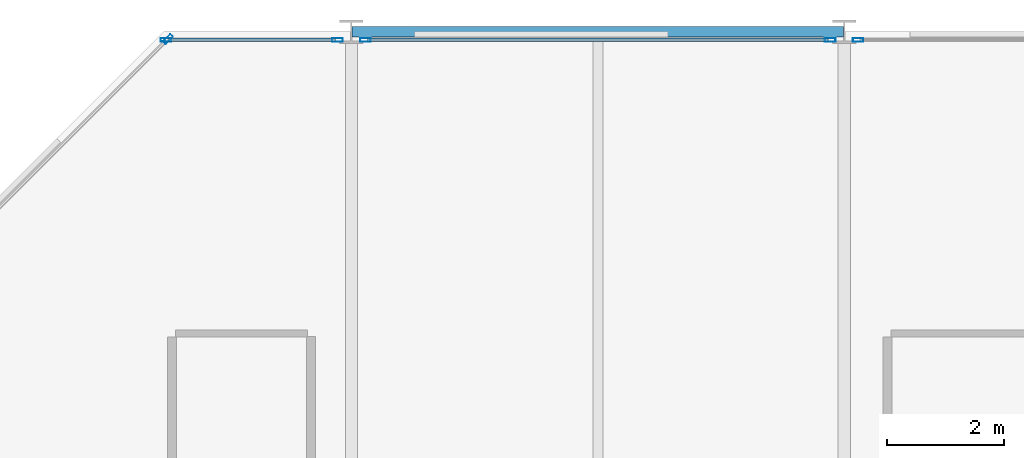
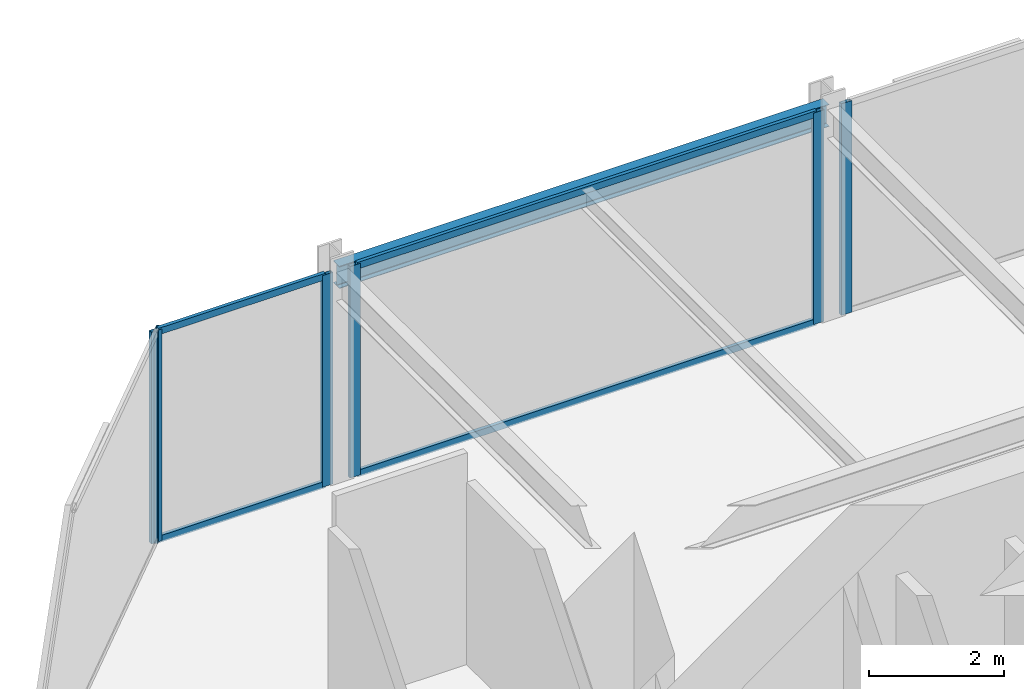
# One storey, part 29 of 38: 10 members, 1 beam, 4 elements without a shape of their own.
"""IFC4 building model written with IfcOpenShell, lengths in metres."""

from ifc_helpers import new_model, si_unit, direction, frame, origin, origin_2d, place, context, subcontext, project, spatial, hollow_rectangle, i_section, extrude, material, layer, layer_set, material_profile, profile_set, type_object, element, aggregate, save


model = new_model("IFC4")

# Units and contexts
model_context = context("Model", 3, precision=1e-05, world=origin(), true_north=direction((0.0, 1.0)))
body_context = subcontext(model_context, "Body", "Model", "MODEL_VIEW")
ifc_project = project(units=[si_unit("LENGTHUNIT", "METRE"), si_unit("AREAUNIT", "SQUARE_METRE"), si_unit("VOLUMEUNIT", "CUBIC_METRE"), si_unit("PLANEANGLEUNIT", "RADIAN"), si_unit("MASSUNIT", "GRAM", prefix="KILO")], contexts=[model_context])

# Site, building, storey
site_placement = place(None, origin())
site = spatial("IfcSite", under=ifc_project, at=site_placement, CompositionType="ELEMENT")
building_placement = place(site_placement, origin())
building = spatial("IfcBuilding", under=site, at=building_placement, Name="Nerrivon Quay Data Exchange", CompositionType="ELEMENT")
storey_placement = place(building_placement, frame((0.0, 0.0, 84.39990234375)))
storey = spatial("IfcBuildingStorey", under=building, at=storey_placement, Name="L19", CompositionType="ELEMENT", Elevation=84.39990234375)

# Beam
ifc_material_1 = material(Name="Steel Grade 350", Category="steel")
ifc_material_profile_1 = material_profile(ifc_material_1, i_section(OverallWidth=0.177978515625, OverallDepth=0.403076171875, WebThickness=0.007568359375, FlangeThickness=0.010986328125, FilletRadius=0.011474609375, at=origin_2d()), Name="410UB53.7")
ifc_profile_set_1 = profile_set([ifc_material_profile_1], Name="Steel Grade 350")
beam_type = type_object("IfcBeamType", Name="BM-SP2-410UB54", PredefinedType="SPANDREL", material=ifc_profile_set_1)
beam_placement = place(storey_placement, frame((8.41259765625, 50.39990234375, 3.62353515625), z_axis=(1.0, 0.0, 0.0), x_axis=(0.0, 1.0, 0.0)))
element("IfcBeam", 1, at=beam_placement, inside=storey, type_object=beam_type, Name="L19 EW Girder Y=50.4 (8.4..16.8)", PredefinedType="SPANDREL", context=body_context, shape_type="SweptSolid", body=[
    extrude(i_section(OverallWidth=0.177978515625, OverallDepth=0.403076171875, WebThickness=0.007568359375, FlangeThickness=0.010986328125, FilletRadius=0.011474609375, at=origin_2d()), origin(), (0.0, 0.0, 1.0), 8.375),
])

# Curtain wall, member
ifc_material_2 = material(Name="Anodised aluminium 6063-T6", Category="aluminium")
ifc_layer = layer(ifc_material_2, 0.2099609375)
ifc_layer_set = layer_set([ifc_layer], Name="Anodised aluminium 6063-T6")
curtain_wall_type = type_object("IfcCurtainWallType", Name="CW-SYS-02", PredefinedType="NOTDEFINED", material=ifc_layer_set)
curtain_wall_1_placement = place(storey_placement, origin())
curtain_wall_1 = element("IfcCurtainWall", 2, at=curtain_wall_1_placement, inside=storey, type_object=curtain_wall_type, Name="L19 Unitised Curtain Wall 23", PredefinedType="NOTDEFINED")
ifc_material_profile_2 = material_profile(ifc_material_2, hollow_rectangle(XDim=0.06494140625, YDim=0.179931640625, WallThickness=0.00341796875, at=origin_2d()), Name="ALU-MULL-180x65")
ifc_profile_set_2 = profile_set([ifc_material_profile_2], Name="Anodised aluminium 6063-T6")
member_type_1 = type_object("IfcMemberType", Name="CWM-180x65", PredefinedType="MULLION", material=ifc_profile_set_2)
member_1_placement = place(storey_placement, frame((5.2724609375, 50.2744140625, 0.0), z_axis=(0.0, 0.0, 1.0), x_axis=(-0.707106781187, 0.707106781187, 0.0)))
member_1 = element("IfcMember", 3, at=member_1_placement, type_object=member_type_1, Name="CW02 mullion 2", PredefinedType="MULLION", context=body_context, shape_type="SweptSolid", body=[
    extrude(hollow_rectangle(XDim=0.06494140625, YDim=0.179931640625, WallThickness=0.00341796875, at=origin_2d()), origin(), (0.0, 0.0, 1.0), 3.8251953125),
])
aggregate(curtain_wall_1, [member_1])

# Curtain wall, members
curtain_wall_2_placement = place(storey_placement, origin())
curtain_wall_2 = element("IfcCurtainWall", 4, at=curtain_wall_2_placement, inside=storey, type_object=curtain_wall_type, Name="L19 Unitised Curtain Wall 24", PredefinedType="NOTDEFINED")
member_2_placement = place(storey_placement, frame((5.237548828125, 50.260009765625, 0.0), z_axis=(0.0, 0.0, 1.0), x_axis=(0.0, 1.0, 0.0)))
member_2 = element("IfcMember", 5, at=member_2_placement, type_object=member_type_1, Name="CW02 mullion 1", PredefinedType="MULLION", context=body_context, shape_type="SweptSolid", body=[
    extrude(hollow_rectangle(XDim=0.06494140625, YDim=0.179931640625, WallThickness=0.00341796875, at=origin_2d()), origin(), (0.0, 0.0, 1.0), 3.8251953125),
])
member_3_placement = place(storey_placement, frame((8.16259765625, 50.260009765625, 0.0), z_axis=(0.0, 0.0, 1.0), x_axis=(0.0, 1.0, 0.0)))
member_3 = element("IfcMember", 6, at=member_3_placement, type_object=member_type_1, Name="CW02 mullion 2", PredefinedType="MULLION", context=body_context, shape_type="SweptSolid", body=[
    extrude(hollow_rectangle(XDim=0.06494140625, YDim=0.179931640625, WallThickness=0.00341796875, at=origin_2d()), origin(), (0.0, 0.0, 1.0), 3.8251953125),
])

curtain_wall_3_placement = place(storey_placement, origin())
curtain_wall_3 = element("IfcCurtainWall", 7, at=curtain_wall_3_placement, inside=storey, type_object=curtain_wall_type, Name="L19 Unitised Curtain Wall 25", PredefinedType="NOTDEFINED")
member_4_placement = place(storey_placement, frame((8.637451171875, 50.260009765625, 0.0), z_axis=(0.0, 0.0, 1.0), x_axis=(0.0, 1.0, 0.0)))
member_4 = element("IfcMember", 8, at=member_4_placement, type_object=member_type_1, Name="CW02 mullion 1", PredefinedType="MULLION", context=body_context, shape_type="SweptSolid", body=[
    extrude(hollow_rectangle(XDim=0.06494140625, YDim=0.179931640625, WallThickness=0.00341796875, at=origin_2d()), origin(), (0.0, 0.0, 1.0), 3.8251953125),
])
member_5_placement = place(storey_placement, frame((16.5625, 50.260009765625, 0.0), z_axis=(0.0, 0.0, 1.0), x_axis=(0.0, 1.0, 0.0)))
member_5 = element("IfcMember", 9, at=member_5_placement, type_object=member_type_1, Name="CW02 mullion 2", PredefinedType="MULLION", context=body_context, shape_type="SweptSolid", body=[
    extrude(hollow_rectangle(XDim=0.06494140625, YDim=0.179931640625, WallThickness=0.00341796875, at=origin_2d()), origin(), (0.0, 0.0, 1.0), 3.8251953125),
])

# Curtain wall, member
curtain_wall_4_placement = place(storey_placement, origin())
curtain_wall_4 = element("IfcCurtainWall", 10, at=curtain_wall_4_placement, inside=storey, type_object=curtain_wall_type, Name="L19 Unitised Curtain Wall 26", PredefinedType="NOTDEFINED")
member_6_placement = place(storey_placement, frame((17.03759765625, 50.260009765625, 0.0), z_axis=(0.0, 0.0, 1.0), x_axis=(0.0, 1.0, 0.0)))
member_6 = element("IfcMember", 11, at=member_6_placement, type_object=member_type_1, Name="CW02 mullion 1", PredefinedType="MULLION", context=body_context, shape_type="SweptSolid", body=[
    extrude(hollow_rectangle(XDim=0.06494140625, YDim=0.179931640625, WallThickness=0.00341796875, at=origin_2d()), origin(), (0.0, 0.0, 1.0), 3.8251953125),
])
aggregate(curtain_wall_4, [member_6])

# Member
ifc_material_profile_3 = material_profile(ifc_material_2, hollow_rectangle(XDim=0.06005859375, YDim=0.1201171875, WallThickness=0.003173828125, at=origin_2d()), Name="ALU-TRAN-120x60")
ifc_profile_set_3 = profile_set([ifc_material_profile_3], Name="Anodised aluminium 6063-T6")
member_type_2 = type_object("IfcMemberType", Name="CWT-120x60", PredefinedType="USERDEFINED", material=ifc_profile_set_3)
member_7_placement = place(storey_placement, frame((5.27490234375, 50.260009765625, 0.03271484375), z_axis=(1.0, 0.0, 0.0), x_axis=(0.0, 1.0, 0.0)))
member_7 = element("IfcMember", 12, at=member_7_placement, type_object=member_type_2, Name="CW02 transom 1.1", ObjectType="TRANSOM", PredefinedType="USERDEFINED", context=body_context, shape_type="SweptSolid", body=[
    extrude(hollow_rectangle(XDim=0.06005859375, YDim=0.1201171875, WallThickness=0.003173828125, at=origin_2d()), origin(), (0.0, 0.0, 1.0), 2.85009765625),
])

member_8_placement = place(storey_placement, frame((5.27490234375, 50.260009765625, 3.79248046875), z_axis=(1.0, 0.0, 0.0), x_axis=(0.0, 1.0, 0.0)))
member_8 = element("IfcMember", 13, at=member_8_placement, type_object=member_type_2, Name="CW02 transom 1.2", ObjectType="TRANSOM", PredefinedType="USERDEFINED", context=body_context, shape_type="SweptSolid", body=[
    extrude(hollow_rectangle(XDim=0.06005859375, YDim=0.1201171875, WallThickness=0.003173828125, at=origin_2d()), origin(), (0.0, 0.0, 1.0), 2.85009765625),
])

aggregate(curtain_wall_2, [member_2, member_3, member_7, member_8])

member_9_placement = place(storey_placement, frame((8.675048828125, 50.260009765625, 0.03271484375), z_axis=(1.0, 0.0, 0.0), x_axis=(0.0, 1.0, 0.0)))
member_9 = element("IfcMember", 14, at=member_9_placement, type_object=member_type_2, Name="CW02 transom 1.1", ObjectType="TRANSOM", PredefinedType="USERDEFINED", context=body_context, shape_type="SweptSolid", body=[
    extrude(hollow_rectangle(XDim=0.06005859375, YDim=0.1201171875, WallThickness=0.003173828125, at=origin_2d()), origin(), (0.0, 0.0, 1.0), 7.849853515625),
])

member_10_placement = place(storey_placement, frame((8.675048828125, 50.260009765625, 3.79248046875), z_axis=(1.0, 0.0, 0.0), x_axis=(0.0, 1.0, 0.0)))
member_10 = element("IfcMember", 15, at=member_10_placement, type_object=member_type_2, Name="CW02 transom 1.2", ObjectType="TRANSOM", PredefinedType="USERDEFINED", context=body_context, shape_type="SweptSolid", body=[
    extrude(hollow_rectangle(XDim=0.06005859375, YDim=0.1201171875, WallThickness=0.003173828125, at=origin_2d()), origin(), (0.0, 0.0, 1.0), 7.849853515625),
])

aggregate(curtain_wall_3, [member_4, member_5, member_9, member_10])

save(model, "model.ifc")
